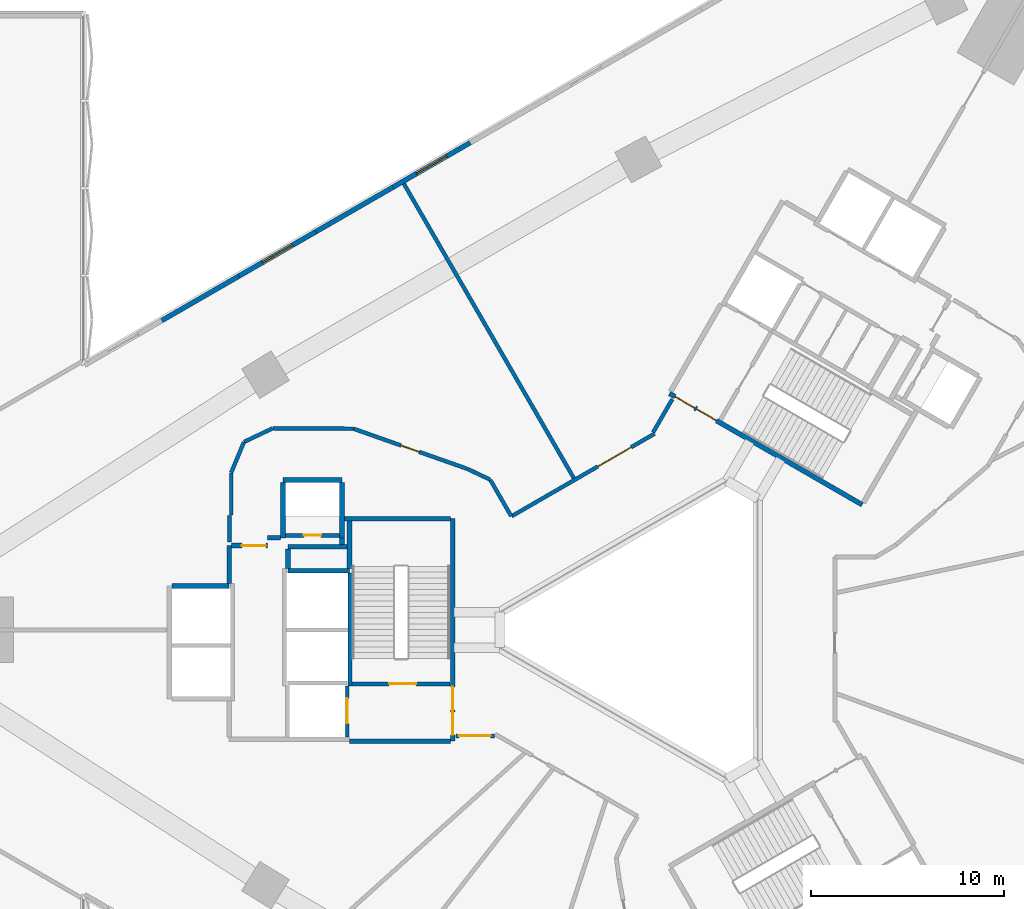
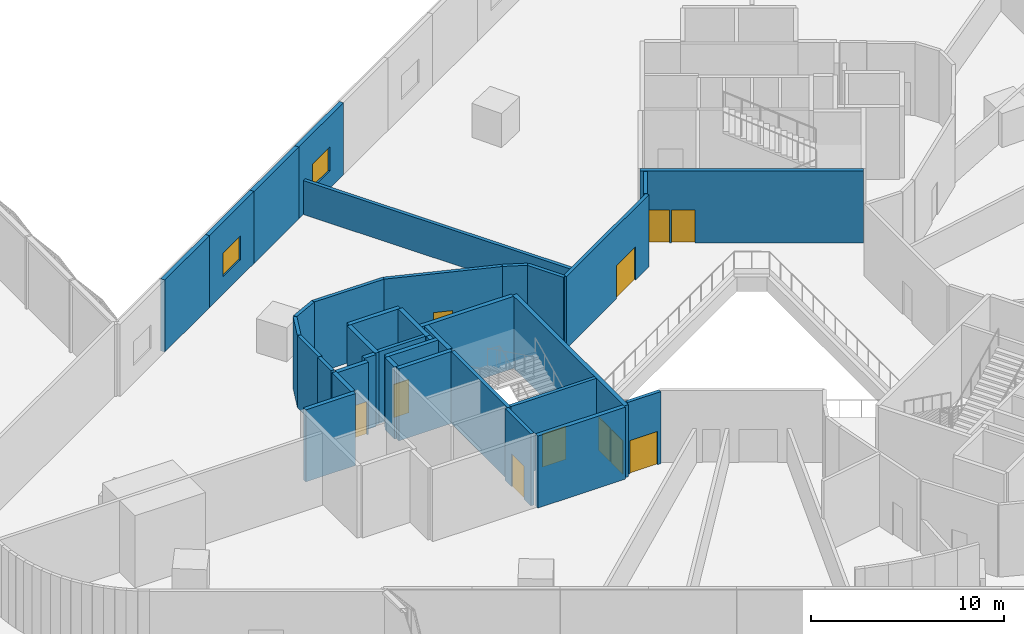
# One storey, part 14 of 24: 36 walls, 11 doors, 2 windows, 13 openings.
"""IFC4 building model written with IfcOpenShell, lengths in metres."""

from ifc_helpers import new_model, si_unit, direction, frame, frame_2d, origin, place, context, subcontext, project, spatial, rectangle, extrude, material, layer, layer_set, type_object, element, fill, save


model = new_model("IFC4")

# Units and contexts
model_context = context("Model", 3, precision=1e-05, world=origin(), true_north=direction((0.0, 1.0)))
body_context = subcontext(model_context, "Body", "Model", "MODEL_VIEW")
ifc_project = project(units=[si_unit("LENGTHUNIT", "METRE"), si_unit("AREAUNIT", "SQUARE_METRE"), si_unit("VOLUMEUNIT", "CUBIC_METRE"), si_unit("PLANEANGLEUNIT", "RADIAN"), si_unit("MASSUNIT", "GRAM", prefix="KILO")], contexts=[model_context])

# Site, building, storey
site_placement = place(None, origin())
site = spatial("IfcSite", under=ifc_project, at=site_placement, CompositionType="ELEMENT")
building_placement = place(site_placement, origin())
building = spatial("IfcBuilding", under=site, at=building_placement, Name="Tamra Quay Hotel Tower", CompositionType="ELEMENT")
storey_placement = place(building_placement, frame((0.0, 0.0, 19.5)))
storey = spatial("IfcBuildingStorey", under=building, at=storey_placement, Name="L03", CompositionType="ELEMENT", Elevation=19.5)

# Wall
ifc_material_1 = material(Name="Concrete M70", Category="concrete")
ifc_layer_1 = layer(ifc_material_1, 0.199951171875)
ifc_layer_set_1 = layer_set([ifc_layer_1], Name="Concrete M70 core wall 200")
wall_type_1 = type_object("IfcWallType", Name="Concrete M70 core wall 200", PredefinedType="SHEAR", material=ifc_layer_set_1)
wall_1_placement = place(storey_placement, frame((-16.162109375, 2.95068359375, 0.0), z_axis=(0.0, 0.0, 1.0), x_axis=(0.0, -1.0, 0.0)))
element("IfcWall", 1, at=wall_1_placement, inside=storey, type_object=wall_type_1, Name="CW2", PredefinedType="SHEAR", context=body_context, shape_type="SweptSolid", body=[
    extrude(rectangle(XDim=5.850830078125, YDim=0.199951171875, at=frame_2d((2.92529296875, 0.0))), origin(), (0.0, 0.0, 1.0), 4.550048828125),
])

# Wall, opening, door
wall_2_placement = place(storey_placement, frame((-10.96337890625, -2.800048828125, 0.0), z_axis=(0.0, 0.0, 1.0), x_axis=(-1.0, 0.0, 0.0)))
wall_2 = element("IfcWall", 2, at=wall_2_placement, inside=storey, type_object=wall_type_1, Name="CW2", PredefinedType="SHEAR", context=body_context, shape_type="SweptSolid", body=[
    extrude(rectangle(XDim=5.097900390625, YDim=0.199951171875, at=frame_2d((2.548828125, 0.0))), origin(), (0.0, 0.0, 1.0), 4.550048828125),
])
opening_1_placement = place(wall_2_placement, frame((1.77392578125, 0.0, 0.0)))
opening_1 = element("IfcOpeningElement", 3, at=opening_1_placement, cuts=wall_2, Name="Opening FD2", PredefinedType="OPENING", context=body_context, shape_type="SweptSolid", body=[
    extrude(rectangle(XDim=1.39990234375, YDim=2.10009765625, at=frame_2d((0.699951171875, 1.050048828125))), frame((0.0, 0.10986328125, 0.0), z_axis=(0.0, -1.0, 0.0), x_axis=(1.0, 0.0, 0.0)), (0.0, 0.0, 1.0), 0.219970703125),
])
ifc_material_2 = material(Name="Core door FD2 1400x2100 RH")
door_type_1 = type_object("IfcDoorType", Name="Core door FD2 1400x2100 RH", OperationType="NOTDEFINED", PredefinedType="DOOR", material=ifc_material_2)
door_1_placement = place(opening_1_placement, origin())
door_1 = element("IfcDoor", 4, at=door_1_placement, inside=storey, type_object=door_type_1, Name="FD2", OperationType="SINGLE_SWING_RIGHT", OverallHeight=2.10009765625, OverallWidth=1.39990234375, PredefinedType="DOOR", context=body_context, shape_type="SweptSolid", body=[
    extrude(rectangle(XDim=1.39990234375, YDim=2.10009765625, at=frame_2d((0.699951171875, 1.050048828125))), frame((0.0, 0.02490234375, 0.0), z_axis=(0.0, -1.0, 0.0), x_axis=(1.0, 0.0, 0.0)), (0.0, 0.0, 1.0), 0.050048828125),
])
fill(opening_1, door_1)

wall_3_placement = place(storey_placement, frame((-19.51123046875, 4.91015625, 0.0), z_axis=(0.0, 0.0, 1.0), x_axis=(1.0, 0.0, 0.0)))
wall_3 = element("IfcWall", 5, at=wall_3_placement, inside=storey, type_object=wall_type_1, Name="CW2", PredefinedType="SHEAR", context=body_context, shape_type="SweptSolid", body=[
    extrude(rectangle(XDim=2.7978515625, YDim=0.199951171875, at=frame_2d((1.39892578125, 0.0))), origin(), (0.0, 0.0, 1.0), 4.550048828125),
])
opening_2_placement = place(wall_3_placement, frame((0.948974609375, 0.0, 0.0)))
opening_2 = element("IfcOpeningElement", 6, at=opening_2_placement, cuts=wall_3, Name="Opening D1", PredefinedType="OPENING", context=body_context, shape_type="SweptSolid", body=[
    extrude(rectangle(XDim=0.89990234375, YDim=2.10009765625, at=frame_2d((0.449951171875, 1.050048828125))), frame((0.0, 0.10986328125, 0.0), z_axis=(0.0, -1.0, 0.0), x_axis=(1.0, 0.0, 0.0)), (0.0, 0.0, 1.0), 0.219970703125),
])
ifc_material_3 = material(Name="Core door D1 900x2100 LH")
door_type_2 = type_object("IfcDoorType", Name="Core door D1 900x2100 LH", OperationType="NOTDEFINED", PredefinedType="DOOR", material=ifc_material_3)
door_2_placement = place(opening_2_placement, origin())
door_2 = element("IfcDoor", 7, at=door_2_placement, inside=storey, type_object=door_type_2, Name="D1", OperationType="SINGLE_SWING_LEFT", OverallHeight=2.10009765625, OverallWidth=0.89990234375, PredefinedType="DOOR", context=body_context, shape_type="SweptSolid", body=[
    extrude(rectangle(XDim=0.89990234375, YDim=2.10009765625, at=frame_2d((0.449951171875, 1.050048828125))), frame((0.0, 0.02490234375, 0.0), z_axis=(0.0, -1.0, 0.0), x_axis=(1.0, 0.0, 0.0)), (0.0, 0.0, 1.0), 0.050048828125),
])
fill(opening_2, door_2)

wall_4_placement = place(storey_placement, frame((-16.312255859375, -2.898193359375, 0.0), z_axis=(0.0, 0.0, 1.0), x_axis=(0.0, -1.0, 0.0)))
wall_4 = element("IfcWall", 8, at=wall_4_placement, inside=storey, type_object=wall_type_1, Name="CW2", PredefinedType="SHEAR", context=body_context, shape_type="SweptSolid", body=[
    extrude(rectangle(XDim=2.65087890625, YDim=0.199951171875, at=frame_2d((1.325439453125, 0.0))), origin(), (0.0, 0.0, 1.0), 4.550048828125),
])
opening_3_placement = place(wall_4_placement, frame((0.65185546875, 0.0, 0.0)))
opening_3 = element("IfcOpeningElement", 9, at=opening_3_placement, cuts=wall_4, Name="Opening LD", PredefinedType="OPENING", context=body_context, shape_type="SweptSolid", body=[
    extrude(rectangle(XDim=1.300048828125, YDim=2.10009765625, at=frame_2d((0.64990234375, 1.050048828125))), frame((0.0, 0.10986328125, 0.0), z_axis=(0.0, -1.0, 0.0), x_axis=(1.0, 0.0, 0.0)), (0.0, 0.0, 1.0), 0.219970703125),
])
ifc_material_4 = material(Name="Landing door LD 1300 sliding to right")
door_type_3 = type_object("IfcDoorType", Name="Landing door LD 1300 sliding to right", OperationType="NOTDEFINED", PredefinedType="DOOR", material=ifc_material_4)
door_3_placement = place(opening_3_placement, origin())
door_3 = element("IfcDoor", 10, at=door_3_placement, inside=storey, type_object=door_type_3, Name="LD", OperationType="SLIDING_TO_RIGHT", OverallHeight=2.10009765625, OverallWidth=1.300048828125, PredefinedType="DOOR", context=body_context, shape_type="SweptSolid", body=[
    extrude(rectangle(XDim=1.300048828125, YDim=2.10009765625, at=frame_2d((0.64990234375, 1.050048828125))), frame((0.0, 0.02490234375, 0.0), z_axis=(0.0, -1.0, 0.0), x_axis=(1.0, 0.0, 0.0)), (0.0, 0.0, 1.0), 0.050048828125),
])
fill(opening_3, door_3)

# Wall, openings, doors
ifc_layer_2 = layer(ifc_material_1, 0.25)
ifc_layer_set_2 = layer_set([ifc_layer_2], Name="Concrete M70 core wall 250")
wall_type_2 = type_object("IfcWallType", Name="Concrete M70 core wall 250", PredefinedType="SHEAR", material=ifc_layer_set_2)
wall_5_placement = place(storey_placement, frame((-10.83740234375, 5.77490234375, 0.0), z_axis=(0.0, 0.0, 1.0), x_axis=(0.0, -1.0, 0.0)))
wall_5 = element("IfcWall", 11, at=wall_5_placement, inside=storey, type_object=wall_type_2, Name="CW1", PredefinedType="SHEAR", context=body_context, shape_type="SweptSolid", body=[
    extrude(rectangle(XDim=11.5498046875, YDim=0.25, at=frame_2d((5.77490234375, 0.0))), origin(), (0.0, 0.0, 1.0), 4.550048828125),
])
opening_4_placement = place(wall_5_placement, frame((10.02490234375, 0.0, 0.0)))
opening_4 = element("IfcOpeningElement", 12, at=opening_4_placement, cuts=wall_5, Name="Opening FD1", PredefinedType="OPENING", context=body_context, shape_type="SweptSolid", body=[
    extrude(rectangle(XDim=1.199951171875, YDim=2.10009765625, at=frame_2d((0.60009765625, 1.050048828125))), frame((0.0, 0.135009765625, 0.0), z_axis=(0.0, -1.0, 0.0), x_axis=(1.0, 0.0, 0.0)), (0.0, 0.0, 1.0), 0.27001953125),
])
opening_5_placement = place(wall_5_placement, frame((8.72509765625, 0.0, 0.0)))
opening_5 = element("IfcOpeningElement", 13, at=opening_5_placement, cuts=wall_5, Name="Opening FD1", PredefinedType="OPENING", context=body_context, shape_type="SweptSolid", body=[
    extrude(rectangle(XDim=1.199951171875, YDim=2.10009765625, at=frame_2d((0.60009765625, 1.050048828125))), frame((0.0, 0.135009765625, 0.0), z_axis=(0.0, -1.0, 0.0), x_axis=(1.0, 0.0, 0.0)), (0.0, 0.0, 1.0), 0.27001953125),
])
ifc_material_5 = material(Name="Core door FD1 1200x2100 LH")
door_type_4 = type_object("IfcDoorType", Name="Core door FD1 1200x2100 LH", OperationType="NOTDEFINED", PredefinedType="DOOR", material=ifc_material_5)
door_4_placement = place(opening_4_placement, origin())
door_4 = element("IfcDoor", 14, at=door_4_placement, inside=storey, type_object=door_type_4, Name="FD1", OperationType="SINGLE_SWING_LEFT", OverallHeight=2.10009765625, OverallWidth=1.199951171875, PredefinedType="DOOR", context=body_context, shape_type="SweptSolid", body=[
    extrude(rectangle(XDim=1.199951171875, YDim=2.10009765625, at=frame_2d((0.60009765625, 1.050048828125))), frame((0.0, 0.02490234375, 0.0), z_axis=(0.0, -1.0, 0.0), x_axis=(1.0, 0.0, 0.0)), (0.0, 0.0, 1.0), 0.050048828125),
])
fill(opening_4, door_4)
ifc_material_6 = material(Name="Core door FD1 1200x2100 RH")
door_type_5 = type_object("IfcDoorType", Name="Core door FD1 1200x2100 RH", OperationType="NOTDEFINED", PredefinedType="DOOR", material=ifc_material_6)
door_5_placement = place(opening_5_placement, origin())
door_5 = element("IfcDoor", 15, at=door_5_placement, inside=storey, type_object=door_type_5, Name="FD1", OperationType="SINGLE_SWING_RIGHT", OverallHeight=2.10009765625, OverallWidth=1.199951171875, PredefinedType="DOOR", context=body_context, shape_type="SweptSolid", body=[
    extrude(rectangle(XDim=1.199951171875, YDim=2.10009765625, at=frame_2d((0.60009765625, 1.050048828125))), frame((0.0, 0.02490234375, 0.0), z_axis=(0.0, -1.0, 0.0), x_axis=(1.0, 0.0, 0.0)), (0.0, 0.0, 1.0), 0.050048828125),
])
fill(opening_5, door_5)

# Walls
wall_6_placement = place(storey_placement, frame((-10.962646484375, -5.77490234375, 0.0), z_axis=(0.0, 0.0, 1.0), x_axis=(-1.0, 0.0, 0.0)))
element("IfcWall", 16, at=wall_6_placement, inside=storey, type_object=wall_type_2, Name="CW1", PredefinedType="SHEAR", context=body_context, shape_type="SweptSolid", body=[
    extrude(rectangle(XDim=5.224609375, YDim=0.25, at=frame_2d((2.6123046875, 0.0))), origin(), (0.0, 0.0, 1.0), 4.550048828125),
])
wall_7_placement = place(storey_placement, frame((-16.47216796875, 5.77490234375, 0.0), z_axis=(0.0, 0.0, 1.0), x_axis=(1.0, 0.0, 0.0)))
element("IfcWall", 17, at=wall_7_placement, inside=storey, type_object=wall_type_2, Name="CW1", PredefinedType="SHEAR", context=body_context, shape_type="SweptSolid", body=[
    extrude(rectangle(XDim=5.509521484375, YDim=0.25, at=frame_2d((2.7548828125, 0.0))), origin(), (0.0, 0.0, 1.0), 4.550048828125),
])
wall_8_placement = place(storey_placement, frame((-19.38720703125, 3.074951171875, 0.0), z_axis=(0.0, 0.0, 1.0), x_axis=(1.0, 0.0, 0.0)))
element("IfcWall", 18, at=wall_8_placement, inside=storey, type_object=wall_type_2, Name="CW1", PredefinedType="SHEAR", context=body_context, shape_type="SweptSolid", body=[
    extrude(rectangle(XDim=3.199951171875, YDim=0.25, at=frame_2d((1.60009765625, 0.0))), origin(), (0.0, 0.0, 1.0), 4.550048828125),
])
wall_9_placement = place(storey_placement, frame((-25.411865234375, 2.27490234375, 0.0), z_axis=(0.0, 0.0, 1.0), x_axis=(1.0, 0.0, 0.0)))
element("IfcWall", 19, at=wall_9_placement, inside=storey, type_object=wall_type_2, Name="CW1", PredefinedType="SHEAR", context=body_context, shape_type="SweptSolid", body=[
    extrude(rectangle(XDim=2.974609375, YDim=0.25, at=frame_2d((1.4873046875, 0.0))), origin(), (0.0, 0.0, 1.0), 4.550048828125),
])
wall_10_placement = place(storey_placement, frame((-19.63720703125, 7.77490234375, 0.0), z_axis=(0.0, 0.0, 1.0), x_axis=(1.0, 0.0, 0.0)))
element("IfcWall", 20, at=wall_10_placement, inside=storey, type_object=wall_type_2, Name="CW1", PredefinedType="SHEAR", context=body_context, shape_type="SweptSolid", body=[
    extrude(rectangle(XDim=3.0498046875, YDim=0.25, at=frame_2d((1.52490234375, 0.0))), origin(), (0.0, 0.0, 1.0), 4.550048828125),
])
for number, where, z_axis, x_axis, name in (
    (21, (-16.58740234375, 7.649658203125, 0.0), (0.0, 0.0, 1.0), (0.0, -1.0, 0.0), "CW1"),
    (22, (-19.63720703125, 4.784912109375, 0.0), (0.0, 0.0, 1.0), (0.0, 1.0, 0.0), "CW1"),
):
    element("IfcWall", number, at=place(storey_placement, frame(where, z_axis=z_axis, x_axis=x_axis)), inside=storey, type_object=wall_type_2, Name=name, PredefinedType="SHEAR", context=body_context, shape_type="SweptSolid", body=[
        extrude(rectangle(XDim=2.86474609375, YDim=0.25, at=frame_2d((1.432373046875, 0.0))), origin(), (0.0, 0.0, 1.0), 4.550048828125),
    ])
wall_11_placement = place(storey_placement, frame((-16.30224609375, 4.31494140625, 0.0), z_axis=(0.0, 0.0, 1.0), x_axis=(-1.0, 0.0, 0.0)))
element("IfcWall", 23, at=wall_11_placement, inside=storey, type_object=wall_type_2, Name="CW1", PredefinedType="SHEAR", context=body_context, shape_type="SweptSolid", body=[
    extrude(rectangle(XDim=3.0849609375, YDim=0.25, at=frame_2d((1.54248046875, 0.0))), origin(), (0.0, 0.0, 1.0), 4.550048828125),
])
wall_12_placement = place(storey_placement, frame((-16.187255859375, 3.200439453125, 0.0), z_axis=(0.0, 0.0, 1.0), x_axis=(0.0, 1.0, 0.0)))
element("IfcWall", 24, at=wall_12_placement, inside=storey, type_object=wall_type_2, Name="CW1", PredefinedType="SHEAR", context=body_context, shape_type="SweptSolid", body=[
    extrude(rectangle(XDim=2.44921875, YDim=0.25, at=frame_2d((1.224609375, 0.0))), origin(), (0.0, 0.0, 1.0), 4.550048828125),
])
wall_13_placement = place(storey_placement, frame((-22.437255859375, 2.400390625, 0.0), z_axis=(0.0, 0.0, 1.0), x_axis=(0.0, 1.0, 0.0)))
element("IfcWall", 25, at=wall_13_placement, inside=storey, type_object=wall_type_2, Name="CW1", PredefinedType="SHEAR", context=body_context, shape_type="SweptSolid", body=[
    extrude(rectangle(XDim=1.974609375, YDim=0.25, at=frame_2d((0.9873046875, 0.0))), origin(), (0.0, 0.0, 1.0), 4.550048828125),
])

# Wall, opening, door
wall_14_placement = place(storey_placement, frame((-22.311767578125, 4.375, 0.0), z_axis=(0.0, 0.0, 1.0), x_axis=(1.0, 0.0, 0.0)))
wall_14 = element("IfcWall", 26, at=wall_14_placement, inside=storey, type_object=wall_type_2, Name="CW1", PredefinedType="SHEAR", context=body_context, shape_type="SweptSolid", body=[
    extrude(rectangle(XDim=1.864501953125, YDim=0.25, at=frame_2d((0.93212890625, 0.0))), origin(), (0.0, 0.0, 1.0), 4.550048828125),
])
opening_6_placement = place(wall_14_placement, frame((0.53466796875, 0.0, 0.0)))
opening_6 = element("IfcOpeningElement", 27, at=opening_6_placement, cuts=wall_14, Name="Opening FD3", PredefinedType="OPENING", context=body_context, shape_type="SweptSolid", body=[
    extrude(rectangle(XDim=1.25, YDim=2.10009765625, at=frame_2d((0.625, 1.050048828125))), frame((0.0, 0.135009765625, 0.0), z_axis=(0.0, -1.0, 0.0), x_axis=(1.0, 0.0, 0.0)), (0.0, 0.0, 1.0), 0.27001953125),
])
ifc_material_7 = material(Name="Core door FD3 1250x2100 LH")
door_type_6 = type_object("IfcDoorType", Name="Core door FD3 1250x2100 LH", OperationType="NOTDEFINED", PredefinedType="DOOR", material=ifc_material_7)
door_6_placement = place(opening_6_placement, origin())
door_6 = element("IfcDoor", 28, at=door_6_placement, inside=storey, type_object=door_type_6, Name="FD3", OperationType="SINGLE_SWING_LEFT", OverallHeight=2.10009765625, OverallWidth=1.25, PredefinedType="DOOR", context=body_context, shape_type="SweptSolid", body=[
    extrude(rectangle(XDim=1.25, YDim=2.10009765625, at=frame_2d((0.625, 1.050048828125))), frame((0.0, 0.02490234375, 0.0), z_axis=(0.0, -1.0, 0.0), x_axis=(1.0, 0.0, 0.0)), (0.0, 0.0, 1.0), 0.050048828125),
])
fill(opening_6, door_6)

# Walls
wall_15_placement = place(storey_placement, frame((-19.38720703125, 4.189697265625, 0.0), z_axis=(0.0, 0.0, 1.0), x_axis=(0.0, -1.0, 0.0)))
element("IfcWall", 29, at=wall_15_placement, inside=storey, type_object=wall_type_2, Name="CW1", PredefinedType="SHEAR", context=body_context, shape_type="SweptSolid", body=[
    extrude(rectangle(XDim=0.9892578125, YDim=0.25, at=frame_2d((0.49462890625, 0.0))), origin(), (0.0, 0.0, 1.0), 4.550048828125),
])
wall_16_placement = place(storey_placement, frame((-20.447265625, 4.784912109375, 0.0), z_axis=(0.0, 0.0, 1.0), x_axis=(1.0, 0.0, 0.0)))
element("IfcWall", 30, at=wall_16_placement, inside=storey, type_object=wall_type_2, Name="CW1", PredefinedType="SHEAR", context=body_context, shape_type="SweptSolid", body=[
    extrude(rectangle(XDim=0.6845703125, YDim=0.25, at=frame_2d((0.34228515625, 0.0))), origin(), (0.0, 0.0, 1.0), 4.550048828125),
])
wall_17_placement = place(storey_placement, frame((-16.577392578125, 4.784912109375, 0.0), z_axis=(0.0, 0.0, 1.0), x_axis=(0.0, -1.0, 0.0)))
element("IfcWall", 31, at=wall_17_placement, inside=storey, type_object=wall_type_2, Name="CW1", PredefinedType="SHEAR", context=body_context, shape_type="SweptSolid", body=[
    extrude(rectangle(XDim=0.344482421875, YDim=0.25, at=frame_2d((0.17236328125, 0.0))), origin(), (0.0, 0.0, 1.0), 4.550048828125),
])

# Wall, openings, doors
wall_18_placement = place(storey_placement, frame((10.419921875, 6.497802734375, 0.0), z_axis=(0.0, 0.0, 1.0), x_axis=(-0.866021906294, 0.500006057782, 0.0)))
wall_18 = element("IfcWall", 32, at=wall_18_placement, inside=storey, type_object=wall_type_2, Name="CW1", PredefinedType="SHEAR", context=body_context, shape_type="SweptSolid", body=[
    extrude(rectangle(XDim=11.550048828125, YDim=0.25, at=frame_2d((5.77490234375, 0.0))), origin(), (0.0, 0.0, 1.0), 4.550048828125),
])
opening_7_placement = place(wall_18_placement, frame((10.02490234375, 0.0, 0.0)))
opening_7 = element("IfcOpeningElement", 33, at=opening_7_placement, cuts=wall_18, Name="Opening FD1", PredefinedType="OPENING", context=body_context, shape_type="SweptSolid", body=[
    extrude(rectangle(XDim=1.199951171875, YDim=2.10009765625, at=frame_2d((0.60009765625, 1.050048828125))), frame((0.0, 0.135009765625, 0.0), z_axis=(0.0, -1.0, 0.0), x_axis=(1.0, 0.0, 0.0)), (0.0, 0.0, 1.0), 0.27001953125),
])
opening_8_placement = place(wall_18_placement, frame((8.724853515625, 0.0, 0.0)))
opening_8 = element("IfcOpeningElement", 34, at=opening_8_placement, cuts=wall_18, Name="Opening FD1", PredefinedType="OPENING", context=body_context, shape_type="SweptSolid", body=[
    extrude(rectangle(XDim=1.199951171875, YDim=2.10009765625, at=frame_2d((0.60009765625, 1.050048828125))), frame((0.0, 0.135009765625, 0.0), z_axis=(0.0, -1.0, 0.0), x_axis=(1.0, 0.0, 0.0)), (0.0, 0.0, 1.0), 0.27001953125),
])
door_7_placement = place(opening_7_placement, origin())
door_7 = element("IfcDoor", 35, at=door_7_placement, inside=storey, type_object=door_type_4, Name="FD1", OperationType="SINGLE_SWING_LEFT", OverallHeight=2.10009765625, OverallWidth=1.199951171875, PredefinedType="DOOR", context=body_context, shape_type="SweptSolid", body=[
    extrude(rectangle(XDim=1.199951171875, YDim=2.10009765625, at=frame_2d((0.60009765625, 1.050048828125))), frame((0.0, 0.02490234375, 0.0), z_axis=(0.0, -1.0, 0.0), x_axis=(1.0, 0.0, 0.0)), (0.0, 0.0, 1.0), 0.050048828125),
])
fill(opening_7, door_7)
door_8_placement = place(opening_8_placement, origin())
door_8 = element("IfcDoor", 36, at=door_8_placement, inside=storey, type_object=door_type_5, Name="FD1", OperationType="SINGLE_SWING_RIGHT", OverallHeight=2.10009765625, OverallWidth=1.199951171875, PredefinedType="DOOR", context=body_context, shape_type="SweptSolid", body=[
    extrude(rectangle(XDim=1.199951171875, YDim=2.10009765625, at=frame_2d((0.60009765625, 1.050048828125))), frame((0.0, 0.02490234375, 0.0), z_axis=(0.0, -1.0, 0.0), x_axis=(1.0, 0.0, 0.0)), (0.0, 0.0, 1.0), 0.050048828125),
])
fill(opening_8, door_8)

# Wall, opening, window
ifc_material_8 = material(Name="Blockwork masonry plastered", Category="masonry")
ifc_layer_3 = layer(ifc_material_8, 0.25)
ifc_layer_set_3 = layer_set([ifc_layer_3], Name="EXTERNAL WALL 250")
wall_type_3 = type_object("IfcWallType", Name="EXTERNAL WALL 250", PredefinedType="SOLIDWALL", material=ifc_layer_set_3)
wall_19_placement = place(storey_placement, frame((-13.930419921875, 22.981689453125, 0.0), z_axis=(0.0, 0.0, 1.0), x_axis=(0.866216377649, 0.499669077583, 0.0)))
wall_19 = element("IfcWall", 37, at=wall_19_placement, inside=storey, type_object=wall_type_3, Name="EW1", PredefinedType="SOLIDWALL", context=body_context, shape_type="SweptSolid", body=[
    extrude(rectangle(XDim=4.619873046875, YDim=0.25, at=frame_2d((2.31005859375, 0.0))), origin(), (0.0, 0.0, 1.0), 4.550048828125),
])
opening_9_placement = place(wall_19_placement, frame((1.409912109375, 0.0, 1.10009765625)))
opening_9 = element("IfcOpeningElement", 38, at=opening_9_placement, cuts=wall_19, Name="Opening PW2", PredefinedType="OPENING", context=body_context, shape_type="SweptSolid", body=[
    extrude(rectangle(XDim=1.800048828125, YDim=1.5, at=frame_2d((0.89990234375, 0.75))), frame((0.0, 0.135009765625, 0.0), z_axis=(0.0, -1.0, 0.0), x_axis=(1.0, 0.0, 0.0)), (0.0, 0.0, 1.0), 0.27001953125),
])
ifc_material_9 = material(Name="Aluminium window with clear glass", Category="aluminium")
window_type = type_object("IfcWindowType", Name="PODIUM WINDOW 1800X1500", PartitioningType="DOUBLE_PANEL_VERTICAL", PredefinedType="WINDOW", material=ifc_material_9)
window_1_placement = place(opening_9_placement, origin())
window_1 = element("IfcWindow", 39, at=window_1_placement, inside=storey, type_object=window_type, Name="PW2", OverallHeight=1.5, OverallWidth=1.800048828125, PartitioningType="SINGLE_PANEL", PredefinedType="WINDOW", context=body_context, shape_type="SweptSolid", body=[
    extrude(rectangle(XDim=1.800048828125, YDim=1.5, at=frame_2d((0.89990234375, 0.75))), frame((0.0, 0.030029296875, 0.0), z_axis=(0.0, -1.0, 0.0), x_axis=(1.0, 0.0, 0.0)), (0.0, 0.0, 1.0), 0.06005859375),
])
fill(opening_9, window_1)

# Wall
wall_20_placement = place(storey_placement, frame((-17.93212890625, 20.67333984375, 0.0), z_axis=(0.0, 0.0, 1.0), x_axis=(0.866216377649, 0.499669077583, 0.0)))
element("IfcWall", 40, at=wall_20_placement, inside=storey, type_object=wall_type_3, Name="EW1", PredefinedType="SOLIDWALL", context=body_context, shape_type="SweptSolid", body=[
    extrude(rectangle(XDim=4.619873046875, YDim=0.25, at=frame_2d((2.31005859375, 0.0))), origin(), (0.0, 0.0, 1.0), 4.550048828125),
])

# Wall, opening, window
wall_21_placement = place(storey_placement, frame((-21.93408203125, 18.364990234375, 0.0), z_axis=(0.0, 0.0, 1.0), x_axis=(0.866229571029, 0.499646205105, 0.0)))
wall_21 = element("IfcWall", 41, at=wall_21_placement, inside=storey, type_object=wall_type_3, Name="EW1", PredefinedType="SOLIDWALL", context=body_context, shape_type="SweptSolid", body=[
    extrude(rectangle(XDim=4.619873046875, YDim=0.25, at=frame_2d((2.31005859375, 0.0))), origin(), (0.0, 0.0, 1.0), 4.550048828125),
])
opening_10_placement = place(wall_21_placement, frame((1.409912109375, 0.0, 1.10009765625)))
opening_10 = element("IfcOpeningElement", 42, at=opening_10_placement, cuts=wall_21, Name="Opening PW2", PredefinedType="OPENING", context=body_context, shape_type="SweptSolid", body=[
    extrude(rectangle(XDim=1.800048828125, YDim=1.5, at=frame_2d((0.89990234375, 0.75))), frame((0.0, 0.135009765625, 0.0), z_axis=(0.0, -1.0, 0.0), x_axis=(1.0, 0.0, 0.0)), (0.0, 0.0, 1.0), 0.27001953125),
])
window_2_placement = place(opening_10_placement, origin())
window_2 = element("IfcWindow", 43, at=window_2_placement, inside=storey, type_object=window_type, Name="PW2", OverallHeight=1.5, OverallWidth=1.800048828125, PartitioningType="SINGLE_PANEL", PredefinedType="WINDOW", context=body_context, shape_type="SweptSolid", body=[
    extrude(rectangle(XDim=1.800048828125, YDim=1.5, at=frame_2d((0.89990234375, 0.75))), frame((0.0, 0.030029296875, 0.0), z_axis=(0.0, -1.0, 0.0), x_axis=(1.0, 0.0, 0.0)), (0.0, 0.0, 1.0), 0.06005859375),
])
fill(opening_10, window_2)

# Walls
wall_22_placement = place(storey_placement, frame((-25.935791015625, 16.056640625, 0.0), z_axis=(0.0, 0.0, 1.0), x_axis=(0.866216377649, 0.499669077583, 0.0)))
element("IfcWall", 44, at=wall_22_placement, inside=storey, type_object=wall_type_3, Name="EW1", PredefinedType="SOLIDWALL", context=body_context, shape_type="SweptSolid", body=[
    extrude(rectangle(XDim=4.619873046875, YDim=0.25, at=frame_2d((2.31005859375, 0.0))), origin(), (0.0, 0.0, 1.0), 4.550048828125),
])
ifc_material_10 = material(Name="Partition corridor wall")
ifc_layer_4 = layer(ifc_material_10, 0.199951171875)
ifc_layer_set_4 = layer_set([ifc_layer_4], Name="Partition corridor wall")
wall_type_4 = type_object("IfcWallType", Name="Partition corridor wall", PredefinedType="PARTITIONING", material=ifc_layer_set_4)
wall_23_placement = place(storey_placement, frame((-22.412109375, 4.56005859375, 0.0), z_axis=(0.0, 0.0, 1.0), x_axis=(0.0, 1.0, 0.0)))
element("IfcWall", 45, at=wall_23_placement, inside=storey, type_object=wall_type_4, Name="W-C", PredefinedType="PARTITIONING", context=body_context, shape_type="SweptSolid", body=[
    extrude(rectangle(XDim=1.388916015625, YDim=0.199951171875, at=frame_2d((0.6943359375, 0.0))), origin(), (0.0, 0.0, 1.0), 4.550048828125),
])
wall_24_placement = place(storey_placement, frame((-22.33203125, 8.156005859375, 0.0), z_axis=(0.0, 0.0, 1.0), x_axis=(0.000445732071, -0.999999900661, 0.0)))
element("IfcWall", 46, at=wall_24_placement, inside=storey, type_object=wall_type_4, Name="W-C", PredefinedType="PARTITIONING", context=body_context, shape_type="SweptSolid", body=[
    extrude(rectangle(XDim=2.19091796875, YDim=0.199951171875, at=frame_2d((1.095458984375, 0.0))), origin(), (0.0, 0.0, 1.0), 4.550048828125),
])
wall_25_placement = place(storey_placement, frame((-22.3291015625, 8.173095703125, 0.0), z_axis=(0.0, 0.0, 1.0), x_axis=(0.384787661824, 0.923005122038, 0.0)))
element("IfcWall", 47, at=wall_25_placement, inside=storey, type_object=wall_type_4, Name="W-C", PredefinedType="PARTITIONING", context=body_context, shape_type="SweptSolid", body=[
    extrude(rectangle(XDim=1.71044921875, YDim=0.199951171875, at=frame_2d((0.855224609375, 0.0))), origin(), (0.0, 0.0, 1.0), 4.550048828125),
])
wall_26_placement = place(storey_placement, frame((-21.660888671875, 9.761962890625, 0.0), z_axis=(0.0, 0.0, 1.0), x_axis=(0.903530778344, 0.428523199588, 0.0)))
element("IfcWall", 48, at=wall_26_placement, inside=storey, type_object=wall_type_4, Name="W-C", PredefinedType="PARTITIONING", context=body_context, shape_type="SweptSolid", body=[
    extrude(rectangle(XDim=1.63330078125, YDim=0.199951171875, at=frame_2d((0.816650390625, 0.0))), origin(), (0.0, 0.0, 1.0), 4.550048828125),
])
wall_27_placement = place(storey_placement, frame((-20.174072265625, 10.465087890625, 0.0), z_axis=(0.0, 0.0, 1.0), x_axis=(0.999987409632, -0.005018025279, 0.0)))
element("IfcWall", 49, at=wall_27_placement, inside=storey, type_object=wall_type_4, Name="W-C", PredefinedType="PARTITIONING", context=body_context, shape_type="SweptSolid", body=[
    extrude(rectangle(XDim=4.18408203125, YDim=0.199951171875, at=frame_2d((2.092041015625, 0.0))), origin(), (0.0, 0.0, 1.0), 4.550048828125),
])

# Wall, opening, door
wall_28_placement = place(storey_placement, frame((-15.986083984375, 10.444091796875, 0.0), z_axis=(0.0, 0.0, 1.0), x_axis=(0.943084193671, -0.332554061241, 0.0)))
wall_28 = element("IfcWall", 50, at=wall_28_placement, inside=storey, type_object=wall_type_4, Name="W-C", PredefinedType="PARTITIONING", context=body_context, shape_type="SweptSolid", body=[
    extrude(rectangle(XDim=6.240234375, YDim=0.199951171875, at=frame_2d((3.1201171875, 0.0))), origin(), (0.0, 0.0, 1.0), 4.550048828125),
])
opening_11_placement = place(wall_28_placement, frame((2.6201171875, 0.0, 0.0)))
opening_11 = element("IfcOpeningElement", 51, at=opening_11_placement, cuts=wall_28, Name="Opening L03-D005", PredefinedType="OPENING", context=body_context, shape_type="SweptSolid", body=[
    extrude(rectangle(XDim=1.0, YDim=2.10009765625, at=frame_2d((0.5, 1.050048828125))), frame((0.0, 0.10986328125, 0.0), z_axis=(0.0, -1.0, 0.0), x_axis=(1.0, 0.0, 0.0)), (0.0, 0.0, 1.0), 0.219970703125),
])
ifc_material_11 = material(Name="Door guest room 1000x2100")
door_type_7 = type_object("IfcDoorType", Name="Door guest room 1000x2100", OperationType="NOTDEFINED", PredefinedType="DOOR", material=ifc_material_11)
door_9_placement = place(opening_11_placement, origin())
door_9 = element("IfcDoor", 52, at=door_9_placement, inside=storey, type_object=door_type_7, Name="L03-D005", OperationType="SINGLE_SWING_LEFT", OverallHeight=2.10009765625, OverallWidth=1.0, PredefinedType="DOOR", context=body_context, shape_type="SweptSolid", body=[
    extrude(rectangle(XDim=1.0, YDim=2.10009765625, at=frame_2d((0.5, 1.050048828125))), frame((0.0, 0.02490234375, 0.0), z_axis=(0.0, -1.0, 0.0), x_axis=(1.0, 0.0, 0.0)), (0.0, 0.0, 1.0), 0.050048828125),
])
fill(opening_11, door_9)

wall_29_placement = place(storey_placement, frame((-10.65234375, -5.5, 0.0), z_axis=(0.0, 0.0, 1.0), x_axis=(1.0, 0.0, 0.0)))
wall_29 = element("IfcWall", 53, at=wall_29_placement, inside=storey, type_object=wall_type_4, Name="W-C", PredefinedType="PARTITIONING", context=body_context, shape_type="SweptSolid", body=[
    extrude(rectangle(XDim=1.9892578125, YDim=0.199951171875, at=frame_2d((0.99462890625, 0.0))), origin(), (0.0, 0.0, 1.0), 4.550048828125),
])
opening_12_placement = place(wall_29_placement, frame((0.139404296875, 0.0, 0.0)))
opening_12 = element("IfcOpeningElement", 54, at=opening_12_placement, cuts=wall_29, Name="Opening L03-D002", PredefinedType="OPENING", context=body_context, shape_type="SweptSolid", body=[
    extrude(rectangle(XDim=1.64990234375, YDim=2.10009765625, at=frame_2d((0.824951171875, 1.050048828125))), frame((0.0, 0.10986328125, 0.0), z_axis=(0.0, -1.0, 0.0), x_axis=(1.0, 0.0, 0.0)), (0.0, 0.0, 1.0), 0.219970703125),
])
ifc_material_12 = material(Name="Door double leaf 1650x2100")
door_type_8 = type_object("IfcDoorType", Name="Door double leaf 1650x2100", OperationType="DOUBLE_DOOR_SINGLE_SWING", PredefinedType="DOOR", material=ifc_material_12)
door_10_placement = place(opening_12_placement, origin())
door_10 = element("IfcDoor", 55, at=door_10_placement, inside=storey, type_object=door_type_8, Name="L03-D002", OperationType="DOUBLE_DOOR_SINGLE_SWING", OverallHeight=2.10009765625, OverallWidth=1.64990234375, PredefinedType="DOOR", context=body_context, shape_type="SweptSolid", body=[
    extrude(rectangle(XDim=1.64990234375, YDim=2.10009765625, at=frame_2d((0.824951171875, 1.050048828125))), frame((0.0, 0.02490234375, 0.0), z_axis=(0.0, -1.0, 0.0), x_axis=(1.0, 0.0, 0.0)), (0.0, 0.0, 1.0), 0.050048828125),
])
fill(opening_12, door_10)

# Walls
wall_30_placement = place(storey_placement, frame((-10.08203125, 8.364990234375, 0.0), z_axis=(0.0, 0.0, 1.0), x_axis=(0.903129261813, -0.429368765116, 0.0)))
element("IfcWall", 56, at=wall_30_placement, inside=storey, type_object=wall_type_4, Name="W-C", PredefinedType="PARTITIONING", context=body_context, shape_type="SweptSolid", body=[
    extrude(rectangle(XDim=1.308837890625, YDim=0.199951171875, at=frame_2d((0.654296875, 0.0))), origin(), (0.0, 0.0, 1.0), 4.550048828125),
])
wall_31_placement = place(storey_placement, frame((-8.884033203125, 7.7890625, 0.0), z_axis=(0.0, 0.0, 1.0), x_axis=(0.49942731159, -0.866355793215, 0.0)))
element("IfcWall", 57, at=wall_31_placement, inside=storey, type_object=wall_type_4, Name="W-C", PredefinedType="PARTITIONING", context=body_context, shape_type="SweptSolid", body=[
    extrude(rectangle(XDim=2.17236328125, YDim=0.199951171875, at=frame_2d((1.086181640625, 0.0))), origin(), (0.0, 0.0, 1.0), 4.550048828125),
])

# Wall, opening, door
wall_32_placement = place(storey_placement, frame((-7.773681640625, 5.9033203125, 0.0), z_axis=(0.0, 0.0, 1.0), x_axis=(0.865984718775, 0.500070461884, 0.0)))
wall_32 = element("IfcWall", 58, at=wall_32_placement, inside=storey, type_object=wall_type_4, Name="W-C", PredefinedType="PARTITIONING", context=body_context, shape_type="SweptSolid", body=[
    extrude(rectangle(XDim=8.562255859375, YDim=0.199951171875, at=frame_2d((4.28125, 0.0))), origin(), (0.0, 0.0, 1.0), 4.550048828125),
])
opening_13_placement = place(wall_32_placement, frame((5.165283203125, 0.0, 0.0)))
opening_13 = element("IfcOpeningElement", 59, at=opening_13_placement, cuts=wall_32, Name="Opening L03-D004", PredefinedType="OPENING", context=body_context, shape_type="SweptSolid", body=[
    extrude(rectangle(XDim=2.0, YDim=2.10009765625, at=frame_2d((1.0, 1.050048828125))), frame((0.0, 0.10986328125, 0.0), z_axis=(0.0, -1.0, 0.0), x_axis=(1.0, 0.0, 0.0)), (0.0, 0.0, 1.0), 0.219970703125),
])
ifc_material_13 = material(Name="Door double leaf 2000x2100")
door_type_9 = type_object("IfcDoorType", Name="Door double leaf 2000x2100", OperationType="DOUBLE_DOOR_SINGLE_SWING", PredefinedType="DOOR", material=ifc_material_13)
door_11_placement = place(opening_13_placement, origin())
door_11 = element("IfcDoor", 60, at=door_11_placement, inside=storey, type_object=door_type_9, Name="L03-D004", OperationType="DOUBLE_DOOR_SINGLE_SWING", OverallHeight=2.10009765625, OverallWidth=2.0, PredefinedType="DOOR", context=body_context, shape_type="SweptSolid", body=[
    extrude(rectangle(XDim=2.0, YDim=2.10009765625, at=frame_2d((1.0, 1.050048828125))), frame((0.0, 0.02490234375, 0.0), z_axis=(0.0, -1.0, 0.0), x_axis=(1.0, 0.0, 0.0)), (0.0, 0.0, 1.0), 0.050048828125),
])
fill(opening_13, door_11)

# Walls
wall_33_placement = place(storey_placement, frame((-0.429931640625, 10.259033203125, 0.0), z_axis=(0.0, 0.0, 1.0), x_axis=(0.500191429871, 0.865914853484, 0.0)))
element("IfcWall", 61, at=wall_33_placement, inside=storey, type_object=wall_type_4, Name="W-C", PredefinedType="PARTITIONING", context=body_context, shape_type="SweptSolid", body=[
    extrude(rectangle(XDim=1.982666015625, YDim=0.199951171875, at=frame_2d((0.9912109375, 0.0))), origin(), (0.0, 0.0, 1.0), 4.550048828125),
])
ifc_material_14 = material(Name="Partition party wall")
ifc_layer_5 = layer(ifc_material_14, 0.199951171875)
ifc_layer_set_5 = layer_set([ifc_layer_5], Name="Partition party wall")
wall_type_5 = type_object("IfcWallType", Name="Partition party wall", PredefinedType="PARTITIONING", material=ifc_layer_set_5)
wall_34_placement = place(storey_placement, frame((-13.49755859375, 23.37841796875, 0.0), z_axis=(0.0, 0.0, 1.0), x_axis=(0.500000424546, -0.866025158672, 0.0)))
element("IfcWall", 62, at=wall_34_placement, inside=storey, type_object=wall_type_5, Name="W-P", PredefinedType="PARTITIONING", context=body_context, shape_type="SweptSolid", body=[
    extrude(rectangle(XDim=17.9931640625, YDim=0.199951171875, at=frame_2d((8.99658203125, 0.0))), origin(), (0.0, 0.0, 1.0), 2.14990234375),
])

save(model, "model.ifc")
